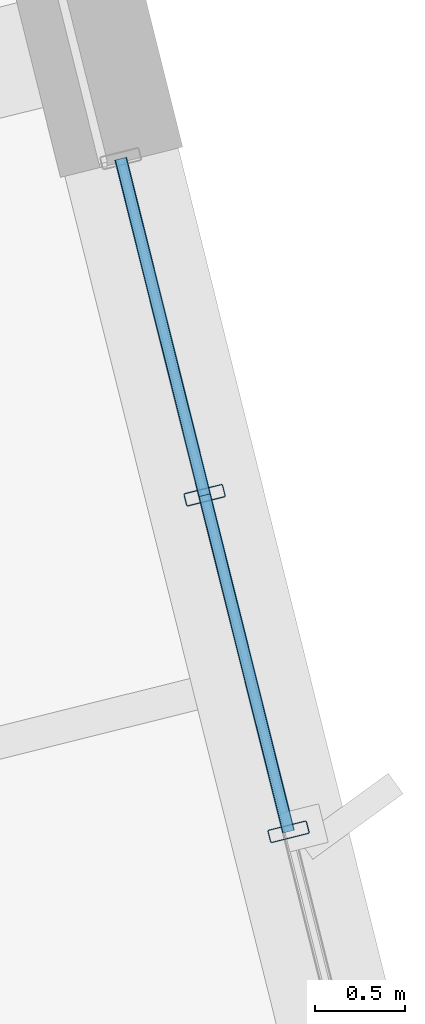
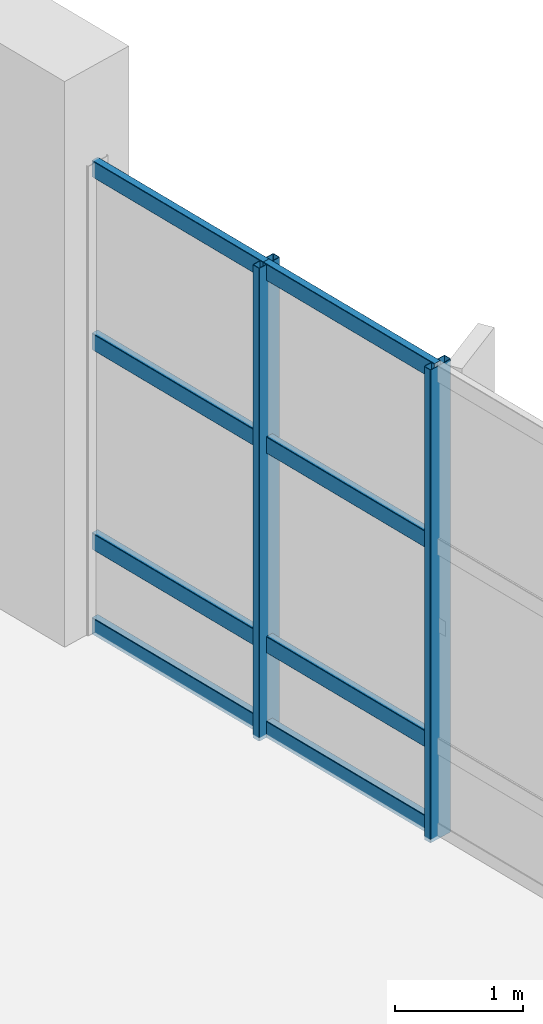
# One storey, part 95 of 176: 10 members, 1 element without a shape of its own.
"""IFC4 building model written with IfcOpenShell, lengths in metres."""

import ifcopenshell
import ifcopenshell.guid

model = None  # the IFC model being written
_history = None  # IfcOwnerHistory: only IFC2X3 demands one
_inside = {}  # id of a spatial element -> (the spatial element, [elements in it])
_under = {}  # id of a project, library or spatial element -> (it, [spatial elements below it])
_declared = {}  # id of a project -> (the project, [libraries it declares])
_typed = {}  # id of a type object -> (the type object, [elements of that type])
_made_of = {}  # id of a material, layer set ... -> (it, [elements and type objects made of it])


def new_model(schema):
    """Start an empty IFC model of exactly this schema.

    Asked for "IFC4X3", IfcOpenShell would pick the latest addendum, in which some entities
    have other attributes; the version numbers below select the first issue.
    IFC2X3 requires an IfcOwnerHistory on every rooted entity: one is made here for all.
    """
    global model, _history
    if schema == "IFC4X3":
        model = ifcopenshell.file(schema_version=(4, 3, 0, 0))
    else:
        model = ifcopenshell.file(schema=schema)
    _inside.clear()
    _under.clear()
    _declared.clear()
    _typed.clear()
    _made_of.clear()
    _history = None
    if model.schema == "IFC2X3":
        org = make("IfcOrganization", Name="unknown")
        user = make(
            "IfcPersonAndOrganization",
            ThePerson=make("IfcPerson", FamilyName="unknown"),
            TheOrganization=org,
        )
        app = make(
            "IfcApplication",
            ApplicationDeveloper=org,
            Version="unknown",
            ApplicationFullName="unknown",
            ApplicationIdentifier="unknown",
        )
        _history = make(
            "IfcOwnerHistory",
            OwningUser=user,
            OwningApplication=app,
            ChangeAction="ADDED",
            CreationDate=0,
        )
    return model


def make(cls, **values):
    """One entity of the class cls with the attributes given. An attribute that is None is left unset."""
    return model.create_entity(
        cls, **{name: value for name, value in values.items() if value is not None}
    )


def rooted(cls, **values):
    """An entity with a GlobalId (a new one), such as an element, a storey or a relation."""
    return make(cls, GlobalId=ifcopenshell.guid.new(), OwnerHistory=_history, **values)


def si_unit(unit_type, name, prefix=None):
    """IfcSIUnit, for example si_unit("LENGTHUNIT", "METRE", prefix="MILLI")."""
    return make("IfcSIUnit", UnitType=unit_type, Prefix=prefix, Name=name)


def assignment(units):
    """IfcUnitAssignment: the units of a project."""
    return None if units is None else make("IfcUnitAssignment", Units=units)


def point(xyz):
    """IfcCartesianPoint."""
    return None if xyz is None else make("IfcCartesianPoint", Coordinates=xyz)


def direction(xyz):
    """IfcDirection."""
    return None if xyz is None else make("IfcDirection", DirectionRatios=xyz)


def frame(location, z_axis=None, x_axis=None):
    """IfcAxis2Placement3D, a coordinate frame: its origin and axes. An axis left out is left unset."""
    return make(
        "IfcAxis2Placement3D",
        Location=point(location),
        Axis=direction(z_axis),
        RefDirection=direction(x_axis),
    )


def frame_2d(location, x_axis=None):
    """IfcAxis2Placement2D, a coordinate frame in the plane: its origin and x axis."""
    return make(
        "IfcAxis2Placement2D", Location=point(location), RefDirection=direction(x_axis)
    )


def origin():
    """The frame at (0, 0, 0) with its axes left unset."""
    return frame((0.0, 0.0, 0.0))


def origin_2d():
    """The frame at (0, 0) in the plane with its x axis left unset."""
    return frame_2d((0.0, 0.0))


def place(relative_to, where):
    """IfcLocalPlacement: puts the frame where relative to a parent placement (None: the world)."""
    return make(
        "IfcLocalPlacement", PlacementRelTo=relative_to, RelativePlacement=where
    )


def context(
    kind, dimensions, precision=None, world=None, true_north=None, identifier=None
):
    """IfcGeometricRepresentationContext, for example the 3D "Model" context."""
    return make(
        "IfcGeometricRepresentationContext",
        ContextIdentifier=identifier,
        ContextType=kind,
        CoordinateSpaceDimension=dimensions,
        Precision=precision,
        WorldCoordinateSystem=world,
        TrueNorth=true_north,
    )


def subcontext(parent, identifier, kind, view, scale=None):
    """IfcGeometricRepresentationSubContext, for example "Body" below "Model"."""
    return make(
        "IfcGeometricRepresentationSubContext",
        ContextIdentifier=identifier,
        ContextType=kind,
        ParentContext=parent,
        TargetScale=scale,
        TargetView=view,
    )


def project(units=None, contexts=None):
    """IfcProject with its units and contexts."""
    return rooted(
        "IfcProject",
        Name="project",
        RepresentationContexts=contexts,
        UnitsInContext=assignment(units),
    )


def spatial(cls, under=None, at=None, **own):
    """A site, building, storey or space (cls), placed at a placement, below another one or the project."""
    s = rooted(cls, ObjectPlacement=at, **own)
    if under is not None:
        _under.setdefault(under.id(), (under, []))[1].append(s)
    return s


def profile(cls, at=None, kind="AREA", **sizes):
    """A parametric profile (cls). Its sizes go by their IFC names, for example OverallWidth=200.0."""
    return make(cls, ProfileType=kind, Position=at, **sizes)


def hollow_rectangle(**sizes):
    """IfcRectangleHollowProfileDef."""
    return profile("IfcRectangleHollowProfileDef", **sizes)


def extrude(swept, where, along, depth):
    """IfcExtrudedAreaSolid: the profile swept, set in the frame where, extruded along a direction by depth."""
    return make(
        "IfcExtrudedAreaSolid",
        SweptArea=swept,
        Position=where,
        ExtrudedDirection=direction(along),
        Depth=depth,
    )


def shape(context_of_items, identifier, shape_type, items):
    """IfcShapeRepresentation: the items that make up one representation, for example the "Body"."""
    return make(
        "IfcShapeRepresentation",
        ContextOfItems=context_of_items,
        RepresentationIdentifier=identifier,
        RepresentationType=shape_type,
        Items=items,
    )


def material(Name=None, Category=None):
    """IfcMaterial."""
    return make("IfcMaterial", Name=Name, Category=Category)


def layer(
    of_material, thickness, ventilated=None, Name=None, Category=None, Priority=None
):
    """IfcMaterialLayer: one layer of a wall or slab, of a material (None: an air gap)."""
    return make(
        "IfcMaterialLayer",
        Material=of_material,
        LayerThickness=thickness,
        IsVentilated=ventilated,
        Name=Name,
        Category=Category,
        Priority=Priority,
    )


def layer_set(layers, Name=None):
    """IfcMaterialLayerSet."""
    return make("IfcMaterialLayerSet", MaterialLayers=layers, LayerSetName=Name)


def material_profile(
    of_material, cross_section, Name=None, Category=None, Priority=None
):
    """IfcMaterialProfile: a cross section and its material."""
    return make(
        "IfcMaterialProfile",
        Name=Name,
        Material=of_material,
        Profile=cross_section,
        Priority=Priority,
        Category=Category,
    )


def profile_set(profiles, Name=None, composite=None):
    """IfcMaterialProfileSet."""
    return make(
        "IfcMaterialProfileSet",
        Name=Name,
        MaterialProfiles=profiles,
        CompositeProfile=composite,
    )


def made_of(thing, what):
    """Note that an element or type object is made of a material, layer set ...; save() writes the relation."""
    if what is not None:
        _made_of.setdefault(what.id(), (what, []))[1].append(thing)
    return thing


def type_object(cls, material=None, **own):
    """A type object (cls), such as IfcWallType, which elements share."""
    return made_of(rooted(cls, **own), material)


def element(
    cls,
    number,
    at=None,
    inside=None,
    cuts=None,
    type_object=None,
    material=None,
    context=None,
    identifier="Body",
    shape_type=None,
    held_by="IfcProductDefinitionShape",
    body=None,
    shapes=None,
    **own,
):
    """One element of the class cls, such as IfcWall. Its Tag is "e" and its number.

    at: its placement. inside: the storey or other place that contains it. cuts: it is an
    opening in that element (IfcRelVoidsElement). A single representation is given by context,
    identifier, shape_type and body (its items); several are given by shapes. held_by: the class
    of the entity that holds the representations. save() writes the other relations.
    """
    e = rooted(cls, Tag="e%d" % number, ObjectPlacement=at, **own)
    if body is not None:
        shapes = [shape(context, identifier, shape_type, body)]
    if shapes is not None:
        e.Representation = make(held_by, Representations=shapes)
    if inside is not None:
        _inside.setdefault(inside.id(), (inside, []))[1].append(e)
    if cuts is not None:
        rooted(
            "IfcRelVoidsElement", RelatingBuildingElement=cuts, RelatedOpeningElement=e
        )
    if type_object is not None:
        _typed.setdefault(type_object.id(), (type_object, []))[1].append(e)
    return made_of(e, material)


def aggregate(whole, parts):
    """IfcRelAggregates: a whole, such as a stair, and the parts it consists of."""
    return rooted("IfcRelAggregates", RelatingObject=whole, RelatedObjects=parts)


def save(model, path):
    """Write the relations noted so far, then the file.

    IfcRelAggregates (storeys below a building ...), IfcRelContainedInSpatialStructure (elements
    in a storey), IfcRelDefinesByType, IfcRelAssociatesMaterial and IfcRelDeclares: one each for
    every whole, place, type object, material and project.
    """
    for whole, parts in _under.values():
        aggregate(whole, parts)
    for where, things in _inside.values():
        rooted(
            "IfcRelContainedInSpatialStructure",
            RelatedElements=things,
            RelatingStructure=where,
        )
    for kind, things in _typed.values():
        rooted("IfcRelDefinesByType", RelatedObjects=things, RelatingType=kind)
    for what, things in _made_of.values():
        rooted("IfcRelAssociatesMaterial", RelatedObjects=things, RelatingMaterial=what)
    for by, libraries in _declared.values():
        rooted("IfcRelDeclares", RelatingContext=by, RelatedDefinitions=libraries)
    model.write(path)


model = new_model("IFC4")

# Units and contexts
model_context = context("Model", 3, precision=1e-05, world=origin(), true_north=direction((0.0, 1.0)))
body_context = subcontext(model_context, "Body", "Model", "MODEL_VIEW")
ifc_project = project(units=[si_unit("LENGTHUNIT", "METRE"), si_unit("AREAUNIT", "SQUARE_METRE"), si_unit("VOLUMEUNIT", "CUBIC_METRE"), si_unit("PLANEANGLEUNIT", "RADIAN"), si_unit("MASSUNIT", "GRAM", prefix="KILO")], contexts=[model_context])

# Site, building, storey
site_placement = place(None, origin())
site = spatial("IfcSite", under=ifc_project, at=site_placement, CompositionType="ELEMENT")
building_placement = place(site_placement, origin())
building = spatial("IfcBuilding", under=site, at=building_placement, Name="Khorjan Park Terminus", CompositionType="ELEMENT")
storey_placement = place(building_placement, frame((0.0, 0.0, 6.0)))
storey = spatial("IfcBuildingStorey", under=building, at=storey_placement, Name="L01", CompositionType="ELEMENT", Elevation=6.0)

# Curtain wall, members
ifc_material = material(Name="Anodized Bronze Aluminium", Category="aluminium")
ifc_layer = layer(ifc_material, 0.22)
ifc_layer_set = layer_set([ifc_layer], Name="Anodized Bronze Aluminium")
curtain_wall_type = type_object("IfcCurtainWallType", Name="CW-OPS-B", PredefinedType="NOTDEFINED", material=ifc_layer_set)
curtain_wall_placement = place(storey_placement, origin())
curtain_wall = element("IfcCurtainWall", 1, at=curtain_wall_placement, inside=storey, type_object=curtain_wall_type, Name="Unitized curtain wall CW-B (CW-V5-E-L01-B05)", PredefinedType="NOTDEFINED")
ifc_material_profile_1 = material_profile(ifc_material, hollow_rectangle(XDim=0.075, YDim=0.225, WallThickness=0.005, InnerFilletRadius=0.005, OuterFilletRadius=0.01, at=origin_2d()), Name="ALM 75x225x5")
ifc_profile_set_1 = profile_set([ifc_material_profile_1], Name="Anodized Bronze Aluminium")
member_type_1 = type_object("IfcMemberType", Name="ML-ALM-225", PredefinedType="MULLION", material=ifc_profile_set_1)
member_1_placement = place(storey_placement, frame((217.8312, 66.9318, -0.035), z_axis=(0.0, 0.0, 1.0), x_axis=(-0.241935125171, 0.970292427678, 0.0)))
member_1 = element("IfcMember", 2, at=member_1_placement, type_object=member_type_1, Name="Curtain-wall mullion ML-22 (CW-V5-E-L01-B05-3)", PredefinedType="MULLION", context=body_context, shape_type="SweptSolid", body=[
    extrude(hollow_rectangle(XDim=0.075, YDim=0.225, WallThickness=0.005, InnerFilletRadius=0.005, OuterFilletRadius=0.01, at=origin_2d()), origin(), (0.0, 0.0, 1.0), 4.515),
])
member_2_placement = place(storey_placement, frame((217.3647, 68.8025, -0.035), z_axis=(0.0, 0.0, 1.0), x_axis=(-0.241935125171, 0.970292427678, 0.0)))
member_2 = element("IfcMember", 3, at=member_2_placement, type_object=member_type_1, Name="Curtain-wall mullion ML-22 (CW-V5-E-L01-B05-4)", PredefinedType="MULLION", context=body_context, shape_type="SweptSolid", body=[
    extrude(hollow_rectangle(XDim=0.075, YDim=0.225, WallThickness=0.005, InnerFilletRadius=0.005, OuterFilletRadius=0.01, at=origin_2d()), origin(), (0.0, 0.0, 1.0), 4.515),
])
ifc_material_profile_2 = material_profile(ifc_material, hollow_rectangle(XDim=0.07, YDim=0.16, WallThickness=0.004, InnerFilletRadius=0.004, OuterFilletRadius=0.008, at=origin_2d()), Name="ALT 70x160x4")
ifc_profile_set_2 = profile_set([ifc_material_profile_2], Name="Anodized Bronze Aluminium")
member_type_2 = type_object("IfcMemberType", Name="TR-ALT-160", PredefinedType="USERDEFINED", material=ifc_profile_set_2)
member_3_placement = place(storey_placement, frame((217.8312, 66.9318, 0.04), z_axis=(-0.241961988875, 0.97028572902, 0.0), x_axis=(-0.97028572902, -0.241961988875, 0.0)))
member_3 = element("IfcMember", 4, at=member_3_placement, type_object=member_type_2, Name="Curtain-wall transom TR-16 (CW-V5-E-L01-B05-3-1)", ObjectType="TRANSOM", PredefinedType="USERDEFINED", context=body_context, shape_type="SweptSolid", body=[
    extrude(hollow_rectangle(XDim=0.07, YDim=0.16, WallThickness=0.004, InnerFilletRadius=0.004, OuterFilletRadius=0.008, at=origin_2d()), origin(), (0.0, 0.0, 1.0), 1.928),
])
member_4_placement = place(storey_placement, frame((217.8312, 66.9318, 0.85), z_axis=(-0.241961988875, 0.97028572902, 0.0), x_axis=(-0.97028572902, -0.241961988875, 0.0)))
member_4 = element("IfcMember", 5, at=member_4_placement, type_object=member_type_2, Name="Curtain-wall transom TR-16 (CW-V5-E-L01-B05-3-2)", ObjectType="TRANSOM", PredefinedType="USERDEFINED", context=body_context, shape_type="SweptSolid", body=[
    extrude(hollow_rectangle(XDim=0.07, YDim=0.16, WallThickness=0.004, InnerFilletRadius=0.004, OuterFilletRadius=0.008, at=origin_2d()), origin(), (0.0, 0.0, 1.0), 1.928),
])
member_5_placement = place(storey_placement, frame((217.8312, 66.9318, 2.7559), z_axis=(-0.241961988875, 0.97028572902, 0.0), x_axis=(-0.97028572902, -0.241961988875, 0.0)))
member_5 = element("IfcMember", 6, at=member_5_placement, type_object=member_type_2, Name="Curtain-wall transom TR-16 (CW-V5-E-L01-B05-3-3)", ObjectType="TRANSOM", PredefinedType="USERDEFINED", context=body_context, shape_type="SweptSolid", body=[
    extrude(hollow_rectangle(XDim=0.07, YDim=0.16, WallThickness=0.004, InnerFilletRadius=0.004, OuterFilletRadius=0.008, at=origin_2d()), origin(), (0.0, 0.0, 1.0), 1.928),
])
member_6_placement = place(storey_placement, frame((217.8312, 66.9318, 4.405), z_axis=(-0.241961988875, 0.97028572902, 0.0), x_axis=(-0.97028572902, -0.241961988875, 0.0)))
member_6 = element("IfcMember", 7, at=member_6_placement, type_object=member_type_2, Name="Curtain-wall transom TR-16 (CW-V5-E-L01-B05-3-4)", ObjectType="TRANSOM", PredefinedType="USERDEFINED", context=body_context, shape_type="SweptSolid", body=[
    extrude(hollow_rectangle(XDim=0.07, YDim=0.16, WallThickness=0.004, InnerFilletRadius=0.004, OuterFilletRadius=0.008, at=origin_2d()), origin(), (0.0, 0.0, 1.0), 1.928),
])
member_7_placement = place(storey_placement, frame((217.3647, 68.8025, 0.04), z_axis=(-0.241913157049, 0.970297905, 0.0), x_axis=(-0.970297905, -0.241913157049, 0.0)))
member_7 = element("IfcMember", 8, at=member_7_placement, type_object=member_type_2, Name="Curtain-wall transom TR-16 (CW-V5-E-L01-B05-4-1)", ObjectType="TRANSOM", PredefinedType="USERDEFINED", context=body_context, shape_type="SweptSolid", body=[
    extrude(hollow_rectangle(XDim=0.07, YDim=0.16, WallThickness=0.004, InnerFilletRadius=0.004, OuterFilletRadius=0.008, at=origin_2d()), origin(), (0.0, 0.0, 1.0), 1.928),
])
member_8_placement = place(storey_placement, frame((217.3647, 68.8025, 0.85), z_axis=(-0.241913157049, 0.970297905, 0.0), x_axis=(-0.970297905, -0.241913157049, 0.0)))
member_8 = element("IfcMember", 9, at=member_8_placement, type_object=member_type_2, Name="Curtain-wall transom TR-16 (CW-V5-E-L01-B05-4-2)", ObjectType="TRANSOM", PredefinedType="USERDEFINED", context=body_context, shape_type="SweptSolid", body=[
    extrude(hollow_rectangle(XDim=0.07, YDim=0.16, WallThickness=0.004, InnerFilletRadius=0.004, OuterFilletRadius=0.008, at=origin_2d()), origin(), (0.0, 0.0, 1.0), 1.928),
])
member_9_placement = place(storey_placement, frame((217.3647, 68.8025, 2.7559), z_axis=(-0.241913157049, 0.970297905, 0.0), x_axis=(-0.970297905, -0.241913157049, 0.0)))
member_9 = element("IfcMember", 10, at=member_9_placement, type_object=member_type_2, Name="Curtain-wall transom TR-16 (CW-V5-E-L01-B05-4-3)", ObjectType="TRANSOM", PredefinedType="USERDEFINED", context=body_context, shape_type="SweptSolid", body=[
    extrude(hollow_rectangle(XDim=0.07, YDim=0.16, WallThickness=0.004, InnerFilletRadius=0.004, OuterFilletRadius=0.008, at=origin_2d()), origin(), (0.0, 0.0, 1.0), 1.928),
])
member_10_placement = place(storey_placement, frame((217.3647, 68.8025, 4.405), z_axis=(-0.241913157049, 0.970297905, 0.0), x_axis=(-0.970297905, -0.241913157049, 0.0)))
member_10 = element("IfcMember", 11, at=member_10_placement, type_object=member_type_2, Name="Curtain-wall transom TR-16 (CW-V5-E-L01-B05-4-4)", ObjectType="TRANSOM", PredefinedType="USERDEFINED", context=body_context, shape_type="SweptSolid", body=[
    extrude(hollow_rectangle(XDim=0.07, YDim=0.16, WallThickness=0.004, InnerFilletRadius=0.004, OuterFilletRadius=0.008, at=origin_2d()), origin(), (0.0, 0.0, 1.0), 1.928),
])
aggregate(curtain_wall, [member_1, member_2, member_3, member_4, member_5, member_6, member_7, member_8, member_9, member_10])

save(model, "model.ifc")
